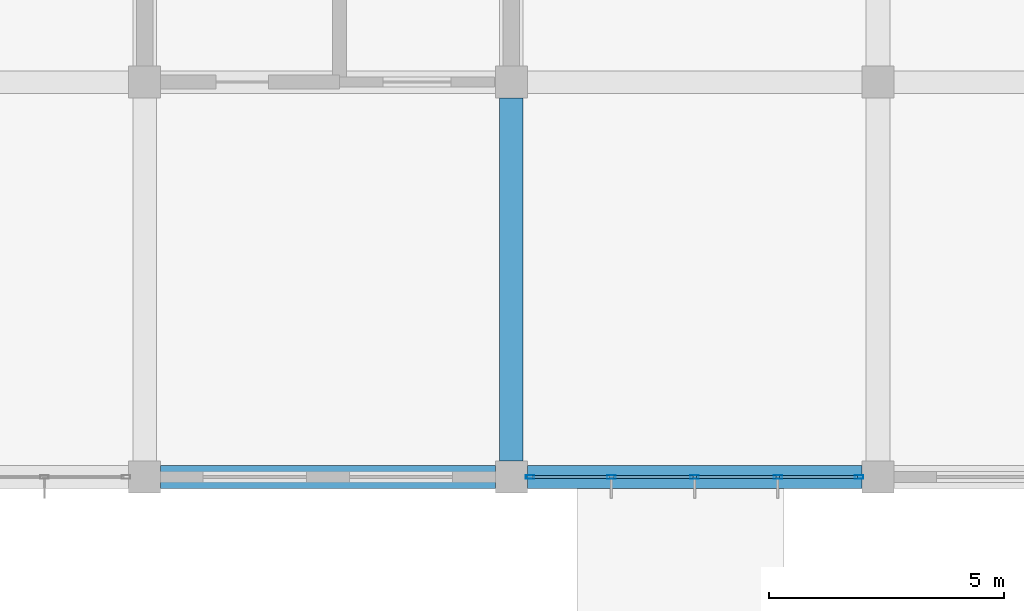
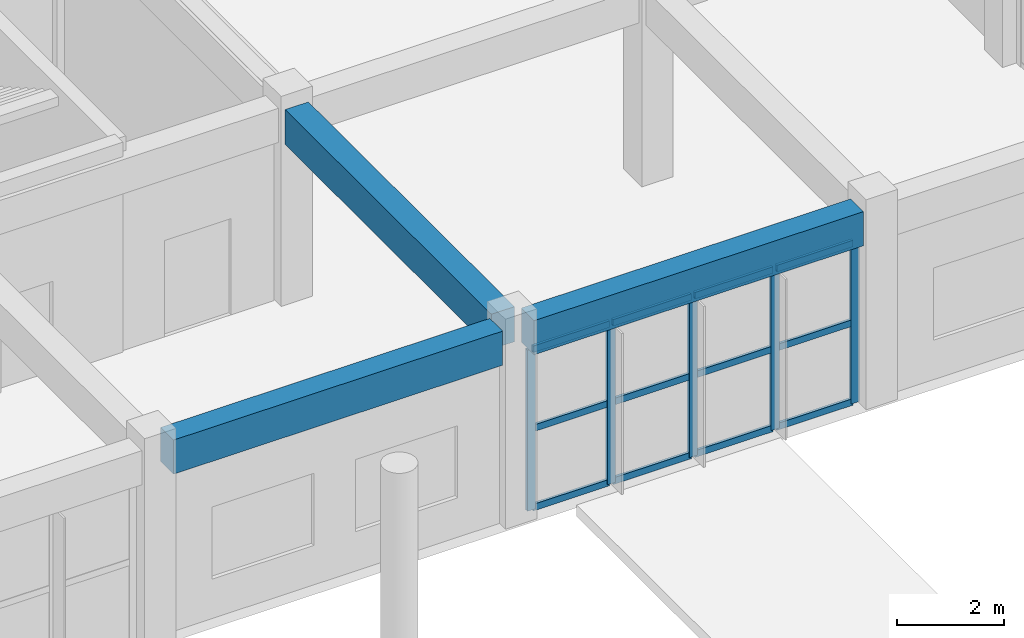
# One storey, part 95 of 175: 17 members, 3 beams, 1 element without a shape of its own.
"""IFC4 building model written with IfcOpenShell, lengths in metres."""

import ifcopenshell
import ifcopenshell.guid

model = None  # the IFC model being written
_history = None  # IfcOwnerHistory: only IFC2X3 demands one
_inside = {}  # id of a spatial element -> (the spatial element, [elements in it])
_under = {}  # id of a project, library or spatial element -> (it, [spatial elements below it])
_declared = {}  # id of a project -> (the project, [libraries it declares])
_typed = {}  # id of a type object -> (the type object, [elements of that type])
_made_of = {}  # id of a material, layer set ... -> (it, [elements and type objects made of it])


def new_model(schema):
    """Start an empty IFC model of exactly this schema.

    Asked for "IFC4X3", IfcOpenShell would pick the latest addendum, in which some entities
    have other attributes; the version numbers below select the first issue.
    IFC2X3 requires an IfcOwnerHistory on every rooted entity: one is made here for all.
    """
    global model, _history
    if schema == "IFC4X3":
        model = ifcopenshell.file(schema_version=(4, 3, 0, 0))
    else:
        model = ifcopenshell.file(schema=schema)
    _inside.clear()
    _under.clear()
    _declared.clear()
    _typed.clear()
    _made_of.clear()
    _history = None
    if model.schema == "IFC2X3":
        org = make("IfcOrganization", Name="unknown")
        user = make(
            "IfcPersonAndOrganization",
            ThePerson=make("IfcPerson", FamilyName="unknown"),
            TheOrganization=org,
        )
        app = make(
            "IfcApplication",
            ApplicationDeveloper=org,
            Version="unknown",
            ApplicationFullName="unknown",
            ApplicationIdentifier="unknown",
        )
        _history = make(
            "IfcOwnerHistory",
            OwningUser=user,
            OwningApplication=app,
            ChangeAction="ADDED",
            CreationDate=0,
        )
    return model


def make(cls, **values):
    """One entity of the class cls with the attributes given. An attribute that is None is left unset."""
    return model.create_entity(
        cls, **{name: value for name, value in values.items() if value is not None}
    )


def rooted(cls, **values):
    """An entity with a GlobalId (a new one), such as an element, a storey or a relation."""
    return make(cls, GlobalId=ifcopenshell.guid.new(), OwnerHistory=_history, **values)


def si_unit(unit_type, name, prefix=None):
    """IfcSIUnit, for example si_unit("LENGTHUNIT", "METRE", prefix="MILLI")."""
    return make("IfcSIUnit", UnitType=unit_type, Prefix=prefix, Name=name)


def assignment(units):
    """IfcUnitAssignment: the units of a project."""
    return None if units is None else make("IfcUnitAssignment", Units=units)


def point(xyz):
    """IfcCartesianPoint."""
    return None if xyz is None else make("IfcCartesianPoint", Coordinates=xyz)


def direction(xyz):
    """IfcDirection."""
    return None if xyz is None else make("IfcDirection", DirectionRatios=xyz)


def frame(location, z_axis=None, x_axis=None):
    """IfcAxis2Placement3D, a coordinate frame: its origin and axes. An axis left out is left unset."""
    return make(
        "IfcAxis2Placement3D",
        Location=point(location),
        Axis=direction(z_axis),
        RefDirection=direction(x_axis),
    )


def frame_2d(location, x_axis=None):
    """IfcAxis2Placement2D, a coordinate frame in the plane: its origin and x axis."""
    return make(
        "IfcAxis2Placement2D", Location=point(location), RefDirection=direction(x_axis)
    )


def origin():
    """The frame at (0, 0, 0) with its axes left unset."""
    return frame((0.0, 0.0, 0.0))


def origin_2d():
    """The frame at (0, 0) in the plane with its x axis left unset."""
    return frame_2d((0.0, 0.0))


def place(relative_to, where):
    """IfcLocalPlacement: puts the frame where relative to a parent placement (None: the world)."""
    return make(
        "IfcLocalPlacement", PlacementRelTo=relative_to, RelativePlacement=where
    )


def context(
    kind, dimensions, precision=None, world=None, true_north=None, identifier=None
):
    """IfcGeometricRepresentationContext, for example the 3D "Model" context."""
    return make(
        "IfcGeometricRepresentationContext",
        ContextIdentifier=identifier,
        ContextType=kind,
        CoordinateSpaceDimension=dimensions,
        Precision=precision,
        WorldCoordinateSystem=world,
        TrueNorth=true_north,
    )


def subcontext(parent, identifier, kind, view, scale=None):
    """IfcGeometricRepresentationSubContext, for example "Body" below "Model"."""
    return make(
        "IfcGeometricRepresentationSubContext",
        ContextIdentifier=identifier,
        ContextType=kind,
        ParentContext=parent,
        TargetScale=scale,
        TargetView=view,
    )


def project(units=None, contexts=None):
    """IfcProject with its units and contexts."""
    return rooted(
        "IfcProject",
        Name="project",
        RepresentationContexts=contexts,
        UnitsInContext=assignment(units),
    )


def spatial(cls, under=None, at=None, **own):
    """A site, building, storey or space (cls), placed at a placement, below another one or the project."""
    s = rooted(cls, ObjectPlacement=at, **own)
    if under is not None:
        _under.setdefault(under.id(), (under, []))[1].append(s)
    return s


def profile(cls, at=None, kind="AREA", **sizes):
    """A parametric profile (cls). Its sizes go by their IFC names, for example OverallWidth=200.0."""
    return make(cls, ProfileType=kind, Position=at, **sizes)


def rectangle(**sizes):
    """IfcRectangleProfileDef."""
    return profile("IfcRectangleProfileDef", **sizes)


def hollow_rectangle(**sizes):
    """IfcRectangleHollowProfileDef."""
    return profile("IfcRectangleHollowProfileDef", **sizes)


def extrude(swept, where, along, depth):
    """IfcExtrudedAreaSolid: the profile swept, set in the frame where, extruded along a direction by depth."""
    return make(
        "IfcExtrudedAreaSolid",
        SweptArea=swept,
        Position=where,
        ExtrudedDirection=direction(along),
        Depth=depth,
    )


def shape(context_of_items, identifier, shape_type, items):
    """IfcShapeRepresentation: the items that make up one representation, for example the "Body"."""
    return make(
        "IfcShapeRepresentation",
        ContextOfItems=context_of_items,
        RepresentationIdentifier=identifier,
        RepresentationType=shape_type,
        Items=items,
    )


def material(Name=None, Category=None):
    """IfcMaterial."""
    return make("IfcMaterial", Name=Name, Category=Category)


def layer(
    of_material, thickness, ventilated=None, Name=None, Category=None, Priority=None
):
    """IfcMaterialLayer: one layer of a wall or slab, of a material (None: an air gap)."""
    return make(
        "IfcMaterialLayer",
        Material=of_material,
        LayerThickness=thickness,
        IsVentilated=ventilated,
        Name=Name,
        Category=Category,
        Priority=Priority,
    )


def layer_set(layers, Name=None):
    """IfcMaterialLayerSet."""
    return make("IfcMaterialLayerSet", MaterialLayers=layers, LayerSetName=Name)


def material_profile(
    of_material, cross_section, Name=None, Category=None, Priority=None
):
    """IfcMaterialProfile: a cross section and its material."""
    return make(
        "IfcMaterialProfile",
        Name=Name,
        Material=of_material,
        Profile=cross_section,
        Priority=Priority,
        Category=Category,
    )


def profile_set(profiles, Name=None, composite=None):
    """IfcMaterialProfileSet."""
    return make(
        "IfcMaterialProfileSet",
        Name=Name,
        MaterialProfiles=profiles,
        CompositeProfile=composite,
    )


def made_of(thing, what):
    """Note that an element or type object is made of a material, layer set ...; save() writes the relation."""
    if what is not None:
        _made_of.setdefault(what.id(), (what, []))[1].append(thing)
    return thing


def type_object(cls, material=None, **own):
    """A type object (cls), such as IfcWallType, which elements share."""
    return made_of(rooted(cls, **own), material)


def element(
    cls,
    number,
    at=None,
    inside=None,
    cuts=None,
    type_object=None,
    material=None,
    context=None,
    identifier="Body",
    shape_type=None,
    held_by="IfcProductDefinitionShape",
    body=None,
    shapes=None,
    **own,
):
    """One element of the class cls, such as IfcWall. Its Tag is "e" and its number.

    at: its placement. inside: the storey or other place that contains it. cuts: it is an
    opening in that element (IfcRelVoidsElement). A single representation is given by context,
    identifier, shape_type and body (its items); several are given by shapes. held_by: the class
    of the entity that holds the representations. save() writes the other relations.
    """
    e = rooted(cls, Tag="e%d" % number, ObjectPlacement=at, **own)
    if body is not None:
        shapes = [shape(context, identifier, shape_type, body)]
    if shapes is not None:
        e.Representation = make(held_by, Representations=shapes)
    if inside is not None:
        _inside.setdefault(inside.id(), (inside, []))[1].append(e)
    if cuts is not None:
        rooted(
            "IfcRelVoidsElement", RelatingBuildingElement=cuts, RelatedOpeningElement=e
        )
    if type_object is not None:
        _typed.setdefault(type_object.id(), (type_object, []))[1].append(e)
    return made_of(e, material)


def aggregate(whole, parts):
    """IfcRelAggregates: a whole, such as a stair, and the parts it consists of."""
    return rooted("IfcRelAggregates", RelatingObject=whole, RelatedObjects=parts)


def save(model, path):
    """Write the relations noted so far, then the file.

    IfcRelAggregates (storeys below a building ...), IfcRelContainedInSpatialStructure (elements
    in a storey), IfcRelDefinesByType, IfcRelAssociatesMaterial and IfcRelDeclares: one each for
    every whole, place, type object, material and project.
    """
    for whole, parts in _under.values():
        aggregate(whole, parts)
    for where, things in _inside.values():
        rooted(
            "IfcRelContainedInSpatialStructure",
            RelatedElements=things,
            RelatingStructure=where,
        )
    for kind, things in _typed.values():
        rooted("IfcRelDefinesByType", RelatedObjects=things, RelatingType=kind)
    for what, things in _made_of.values():
        rooted("IfcRelAssociatesMaterial", RelatedObjects=things, RelatingMaterial=what)
    for by, libraries in _declared.values():
        rooted("IfcRelDeclares", RelatingContext=by, RelatedDefinitions=libraries)
    model.write(path)


model = new_model("IFC4")

# Units and contexts
model_context = context("Model", 3, precision=1e-05, world=origin(), true_north=direction((0.0, 1.0)))
body_context = subcontext(model_context, "Body", "Model", "MODEL_VIEW")
ifc_project = project(units=[si_unit("LENGTHUNIT", "METRE"), si_unit("AREAUNIT", "SQUARE_METRE"), si_unit("VOLUMEUNIT", "CUBIC_METRE"), si_unit("PLANEANGLEUNIT", "RADIAN"), si_unit("MASSUNIT", "GRAM", prefix="KILO")], contexts=[model_context])

# Site, building, storey
site_placement = place(None, origin())
site = spatial("IfcSite", under=ifc_project, at=site_placement, CompositionType="ELEMENT")
building_placement = place(site_placement, origin())
building = spatial("IfcBuilding", under=site, at=building_placement, Name="Zizhar Promenade General Hospital", CompositionType="ELEMENT")
storey_placement = place(building_placement, frame((0.0, 0.0, 4.800048828125)))
storey = spatial("IfcBuildingStorey", under=building, at=storey_placement, Name="L01", CompositionType="ELEMENT", Elevation=4.800048828125)

# Beams
ifc_material_1 = material(Name="Concrete C35/45", Category="concrete")
ifc_material_profile_1 = material_profile(ifc_material_1, rectangle(XDim=0.47998046875, YDim=0.780029296875, at=origin_2d()))
ifc_profile_set_1 = profile_set([ifc_material_profile_1], Name="Concrete C35/45")
beam_type_1 = type_object("IfcBeamType", Name="BM-RC-480x780", PredefinedType="BEAM", material=ifc_profile_set_1)
for number, where, z_axis, x_axis, name in (
    (1, (171.93994140625, 42.0, 4.079833984375), (1.0, 0.0, 0.0), (0.0, 1.0, 0.0), "Grid Beam X L01 (22-5)"),
    (2, (179.739990234375, 42.0, 4.079833984375), (1.0, 0.0, 0.0), (0.0, 1.0, 0.0), "Grid Beam X L01 (23-5)"),
):
    element("IfcBeam", number, at=place(storey_placement, frame(where, z_axis=z_axis, x_axis=x_axis)), inside=storey, type_object=beam_type_1, Name=name, PredefinedType="BEAM", context=body_context, shape_type="SweptSolid", body=[
        extrude(rectangle(XDim=0.47998046875, YDim=0.780029296875, at=origin_2d()), origin(), (0.0, 0.0, 1.0), 7.1201171875),
    ])
ifc_material_2 = material(Name="Concrete C35/45", Category="concrete")
ifc_material_profile_2 = material_profile(ifc_material_2, rectangle(XDim=0.5, YDim=0.800048828125, at=origin_2d()))
ifc_profile_set_2 = profile_set([ifc_material_profile_2], Name="Concrete C35/45")
beam_type_2 = type_object("IfcBeamType", Name="BM-RC-500x800", PredefinedType="BEAM", material=ifc_profile_set_2)
beam_placement = place(storey_placement, frame((179.39990234375, 42.340087890625, 4.070068359375), z_axis=(0.0, 1.0, 0.0), x_axis=(-1.0, 0.0, 0.0)))
element("IfcBeam", 3, at=beam_placement, inside=storey, type_object=beam_type_2, Name="Grid Beam Y L01 (23-5)", PredefinedType="BEAM", context=body_context, shape_type="SweptSolid", body=[
    extrude(rectangle(XDim=0.5, YDim=0.800048828125, at=origin_2d()), origin(), (0.0, 0.0, 1.0), 7.719970703125),
])

# Curtain wall, members
ifc_material_3 = material(Name="Anodised aluminium 6063-T6 and low-E glass", Category="aluminium")
ifc_layer = layer(ifc_material_3, 0.159912109375)
ifc_layer_set = layer_set([ifc_layer], Name="Anodised aluminium 6063-T6 and low-E glass")
curtain_wall_type = type_object("IfcCurtainWallType", Name="CW-CLN-EXT", PredefinedType="NOTDEFINED", material=ifc_layer_set)
curtain_wall_placement = place(storey_placement, origin())
curtain_wall = element("IfcCurtainWall", 4, at=curtain_wall_placement, inside=storey, type_object=curtain_wall_type, Name="Outpatient Forecourt Curtain Wall L01-23", PredefinedType="NOTDEFINED")
ifc_material_4 = material(Name="Anodised aluminium 6063-T6", Category="aluminium")
ifc_material_profile_3 = material_profile(ifc_material_4, hollow_rectangle(XDim=0.080078125, YDim=0.179931640625, WallThickness=0.0048828125, at=origin_2d()))
ifc_profile_set_3 = profile_set([ifc_material_profile_3], Name="Anodised aluminium 6063-T6")
member_type_1 = type_object("IfcMemberType", Name="CWM-ALU-180x80", PredefinedType="MULLION", material=ifc_profile_set_3)
member_1_placement = place(storey_placement, frame((186.800048828125, 42.0, 0.0), z_axis=(0.0, 0.0, 1.0), x_axis=(0.0, -1.0, 0.0)))
member_1 = element("IfcMember", 5, at=member_1_placement, type_object=member_type_1, Name="CW-09 mullion 1", PredefinedType="MULLION", context=body_context, shape_type="SweptSolid", body=[
    extrude(hollow_rectangle(XDim=0.080078125, YDim=0.179931640625, WallThickness=0.0048828125, at=origin_2d()), origin(), (0.0, 0.0, 1.0), 3.679931640625),
])
member_2_placement = place(storey_placement, frame((185.070068359375, 42.0, 0.0), z_axis=(0.0, 0.0, 1.0), x_axis=(0.0, -1.0, 0.0)))
member_2 = element("IfcMember", 6, at=member_2_placement, type_object=member_type_1, Name="CW-09 mullion 2", PredefinedType="MULLION", context=body_context, shape_type="SweptSolid", body=[
    extrude(hollow_rectangle(XDim=0.080078125, YDim=0.179931640625, WallThickness=0.0048828125, at=origin_2d()), origin(), (0.0, 0.0, 1.0), 3.679931640625),
])
member_3_placement = place(storey_placement, frame((183.300048828125, 42.0, 0.0), z_axis=(0.0, 0.0, 1.0), x_axis=(0.0, -1.0, 0.0)))
member_3 = element("IfcMember", 7, at=member_3_placement, type_object=member_type_1, Name="CW-09 mullion 3", PredefinedType="MULLION", context=body_context, shape_type="SweptSolid", body=[
    extrude(hollow_rectangle(XDim=0.080078125, YDim=0.179931640625, WallThickness=0.0048828125, at=origin_2d()), origin(), (0.0, 0.0, 1.0), 3.679931640625),
])
member_4_placement = place(storey_placement, frame((181.530029296875, 42.0, 0.0), z_axis=(0.0, 0.0, 1.0), x_axis=(0.0, -1.0, 0.0)))
member_4 = element("IfcMember", 8, at=member_4_placement, type_object=member_type_1, Name="CW-09 mullion 4", PredefinedType="MULLION", context=body_context, shape_type="SweptSolid", body=[
    extrude(hollow_rectangle(XDim=0.080078125, YDim=0.179931640625, WallThickness=0.0048828125, at=origin_2d()), origin(), (0.0, 0.0, 1.0), 3.679931640625),
])
member_5_placement = place(storey_placement, frame((179.800048828125, 42.0, 0.0), z_axis=(0.0, 0.0, 1.0), x_axis=(0.0, -1.0, 0.0)))
member_5 = element("IfcMember", 9, at=member_5_placement, type_object=member_type_1, Name="CW-09 mullion 5", PredefinedType="MULLION", context=body_context, shape_type="SweptSolid", body=[
    extrude(hollow_rectangle(XDim=0.080078125, YDim=0.179931640625, WallThickness=0.0048828125, at=origin_2d()), origin(), (0.0, 0.0, 1.0), 3.679931640625),
])
ifc_material_5 = material(Name="Anodised aluminium 6063-T6", Category="aluminium")
ifc_material_profile_4 = material_profile(ifc_material_5, hollow_rectangle(XDim=0.06005859375, YDim=0.14990234375, WallThickness=0.00390625, at=origin_2d()))
ifc_profile_set_4 = profile_set([ifc_material_profile_4], Name="Anodised aluminium 6063-T6")
member_type_2 = type_object("IfcMemberType", Name="CWT-ALU-150x60", PredefinedType="USERDEFINED", material=ifc_profile_set_4)
member_6_placement = place(storey_placement, frame((186.760009765625, 42.0, 0.030029296875), z_axis=(-1.0, 0.0, 0.0), x_axis=(0.0, -1.0, 0.0)))
member_6 = element("IfcMember", 10, at=member_6_placement, type_object=member_type_2, Name="CW-09 transom 1.1", ObjectType="TRANSOM", PredefinedType="USERDEFINED", context=body_context, shape_type="SweptSolid", body=[
    extrude(hollow_rectangle(XDim=0.06005859375, YDim=0.14990234375, WallThickness=0.00390625, at=origin_2d()), origin(), (0.0, 0.0, 1.0), 1.64990234375),
])
member_7_placement = place(storey_placement, frame((186.760009765625, 42.0, 1.83984375), z_axis=(-1.0, 0.0, 0.0), x_axis=(0.0, -1.0, 0.0)))
member_7 = element("IfcMember", 11, at=member_7_placement, type_object=member_type_2, Name="CW-09 transom 1.2", ObjectType="TRANSOM", PredefinedType="USERDEFINED", context=body_context, shape_type="SweptSolid", body=[
    extrude(hollow_rectangle(XDim=0.06005859375, YDim=0.14990234375, WallThickness=0.00390625, at=origin_2d()), origin(), (0.0, 0.0, 1.0), 1.64990234375),
])
member_8_placement = place(storey_placement, frame((186.760009765625, 42.0, 3.64990234375), z_axis=(-1.0, 0.0, 0.0), x_axis=(0.0, -1.0, 0.0)))
member_8 = element("IfcMember", 12, at=member_8_placement, type_object=member_type_2, Name="CW-09 transom 1.3", ObjectType="TRANSOM", PredefinedType="USERDEFINED", context=body_context, shape_type="SweptSolid", body=[
    extrude(hollow_rectangle(XDim=0.06005859375, YDim=0.14990234375, WallThickness=0.00390625, at=origin_2d()), origin(), (0.0, 0.0, 1.0), 1.64990234375),
])
member_9_placement = place(storey_placement, frame((185.030029296875, 42.0, 0.030029296875), z_axis=(-1.0, 0.0, 0.0), x_axis=(0.0, -1.0, 0.0)))
member_9 = element("IfcMember", 13, at=member_9_placement, type_object=member_type_2, Name="CW-09 transom 2.1", ObjectType="TRANSOM", PredefinedType="USERDEFINED", context=body_context, shape_type="SweptSolid", body=[
    extrude(hollow_rectangle(XDim=0.06005859375, YDim=0.14990234375, WallThickness=0.00390625, at=origin_2d()), origin(), (0.0, 0.0, 1.0), 1.68994140625),
])
member_10_placement = place(storey_placement, frame((185.030029296875, 42.0, 1.83984375), z_axis=(-1.0, 0.0, 0.0), x_axis=(0.0, -1.0, 0.0)))
member_10 = element("IfcMember", 14, at=member_10_placement, type_object=member_type_2, Name="CW-09 transom 2.2", ObjectType="TRANSOM", PredefinedType="USERDEFINED", context=body_context, shape_type="SweptSolid", body=[
    extrude(hollow_rectangle(XDim=0.06005859375, YDim=0.14990234375, WallThickness=0.00390625, at=origin_2d()), origin(), (0.0, 0.0, 1.0), 1.68994140625),
])
member_11_placement = place(storey_placement, frame((185.030029296875, 42.0, 3.64990234375), z_axis=(-1.0, 0.0, 0.0), x_axis=(0.0, -1.0, 0.0)))
member_11 = element("IfcMember", 15, at=member_11_placement, type_object=member_type_2, Name="CW-09 transom 2.3", ObjectType="TRANSOM", PredefinedType="USERDEFINED", context=body_context, shape_type="SweptSolid", body=[
    extrude(hollow_rectangle(XDim=0.06005859375, YDim=0.14990234375, WallThickness=0.00390625, at=origin_2d()), origin(), (0.0, 0.0, 1.0), 1.68994140625),
])
member_12_placement = place(storey_placement, frame((183.260009765625, 42.0, 0.030029296875), z_axis=(-1.0, 0.0, 0.0), x_axis=(0.0, -1.0, 0.0)))
member_12 = element("IfcMember", 16, at=member_12_placement, type_object=member_type_2, Name="CW-09 transom 3.1", ObjectType="TRANSOM", PredefinedType="USERDEFINED", context=body_context, shape_type="SweptSolid", body=[
    extrude(hollow_rectangle(XDim=0.06005859375, YDim=0.14990234375, WallThickness=0.00390625, at=origin_2d()), origin(), (0.0, 0.0, 1.0), 1.68994140625),
])
member_13_placement = place(storey_placement, frame((183.260009765625, 42.0, 1.83984375), z_axis=(-1.0, 0.0, 0.0), x_axis=(0.0, -1.0, 0.0)))
member_13 = element("IfcMember", 17, at=member_13_placement, type_object=member_type_2, Name="CW-09 transom 3.2", ObjectType="TRANSOM", PredefinedType="USERDEFINED", context=body_context, shape_type="SweptSolid", body=[
    extrude(hollow_rectangle(XDim=0.06005859375, YDim=0.14990234375, WallThickness=0.00390625, at=origin_2d()), origin(), (0.0, 0.0, 1.0), 1.68994140625),
])
member_14_placement = place(storey_placement, frame((183.260009765625, 42.0, 3.64990234375), z_axis=(-1.0, 0.0, 0.0), x_axis=(0.0, -1.0, 0.0)))
member_14 = element("IfcMember", 18, at=member_14_placement, type_object=member_type_2, Name="CW-09 transom 3.3", ObjectType="TRANSOM", PredefinedType="USERDEFINED", context=body_context, shape_type="SweptSolid", body=[
    extrude(hollow_rectangle(XDim=0.06005859375, YDim=0.14990234375, WallThickness=0.00390625, at=origin_2d()), origin(), (0.0, 0.0, 1.0), 1.68994140625),
])
member_15_placement = place(storey_placement, frame((181.489990234375, 42.0, 0.030029296875), z_axis=(-1.0, 0.0, 0.0), x_axis=(0.0, -1.0, 0.0)))
member_15 = element("IfcMember", 19, at=member_15_placement, type_object=member_type_2, Name="CW-09 transom 4.1", ObjectType="TRANSOM", PredefinedType="USERDEFINED", context=body_context, shape_type="SweptSolid", body=[
    extrude(hollow_rectangle(XDim=0.06005859375, YDim=0.14990234375, WallThickness=0.00390625, at=origin_2d()), origin(), (0.0, 0.0, 1.0), 1.64990234375),
])
member_16_placement = place(storey_placement, frame((181.489990234375, 42.0, 1.83984375), z_axis=(-1.0, 0.0, 0.0), x_axis=(0.0, -1.0, 0.0)))
member_16 = element("IfcMember", 20, at=member_16_placement, type_object=member_type_2, Name="CW-09 transom 4.2", ObjectType="TRANSOM", PredefinedType="USERDEFINED", context=body_context, shape_type="SweptSolid", body=[
    extrude(hollow_rectangle(XDim=0.06005859375, YDim=0.14990234375, WallThickness=0.00390625, at=origin_2d()), origin(), (0.0, 0.0, 1.0), 1.64990234375),
])
member_17_placement = place(storey_placement, frame((181.489990234375, 42.0, 3.64990234375), z_axis=(-1.0, 0.0, 0.0), x_axis=(0.0, -1.0, 0.0)))
member_17 = element("IfcMember", 21, at=member_17_placement, type_object=member_type_2, Name="CW-09 transom 4.3", ObjectType="TRANSOM", PredefinedType="USERDEFINED", context=body_context, shape_type="SweptSolid", body=[
    extrude(hollow_rectangle(XDim=0.06005859375, YDim=0.14990234375, WallThickness=0.00390625, at=origin_2d()), origin(), (0.0, 0.0, 1.0), 1.64990234375),
])
aggregate(curtain_wall, [member_1, member_2, member_3, member_4, member_5, member_6, member_7, member_8, member_9, member_10, member_11, member_12, member_13, member_14, member_15, member_16, member_17])

save(model, "model.ifc")
